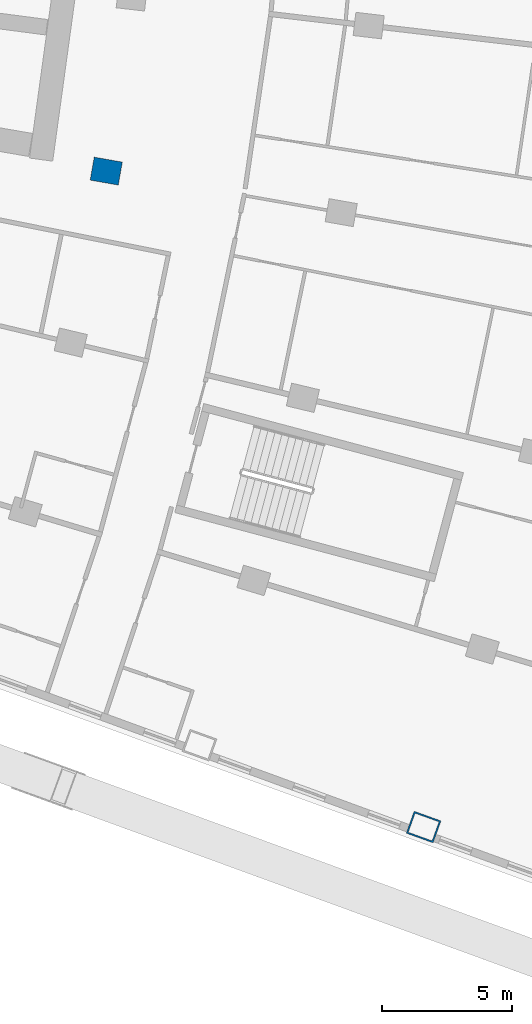
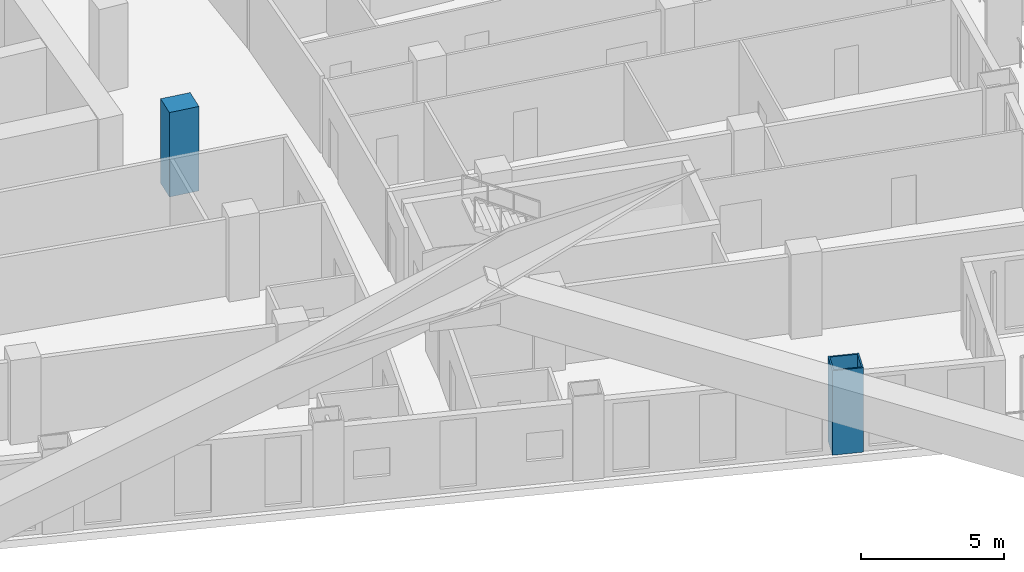
# One storey, part 4 of 25: 2 columns.
"""IFC4 building model written with IfcOpenShell, lengths in metres."""

from ifc_helpers import new_model, si_unit, direction, frame, origin, origin_2d, place, context, subcontext, project, spatial, rectangle, hollow_rectangle, extrude, material, material_profile, profile_set, type_object, element, save


model = new_model("IFC4")

# Units and contexts
model_context = context("Model", 3, precision=1e-05, world=origin(), true_north=direction((0.0, 1.0)))
body_context = subcontext(model_context, "Body", "Model", "MODEL_VIEW")
ifc_project = project(units=[si_unit("LENGTHUNIT", "METRE"), si_unit("AREAUNIT", "SQUARE_METRE"), si_unit("VOLUMEUNIT", "CUBIC_METRE"), si_unit("PLANEANGLEUNIT", "RADIAN"), si_unit("MASSUNIT", "GRAM", prefix="KILO")], contexts=[model_context])

# Site, building, storey
site_placement = place(None, origin())
site = spatial("IfcSite", under=ifc_project, at=site_placement, CompositionType="ELEMENT")
building_placement = place(site_placement, origin())
building = spatial("IfcBuilding", under=site, at=building_placement, Name="Alderwake Tower", CompositionType="ELEMENT")
storey_placement = place(building_placement, frame((0.0, 0.0, 32.0)))
storey = spatial("IfcBuildingStorey", under=building, at=storey_placement, Name="L06", CompositionType="ELEMENT", Elevation=32.0)

# Columns
ifc_material_1 = material(Name="Steel ASTM A572 Grade 50 concrete filled C70/85", Category="concrete")
ifc_material_profile_1 = material_profile(ifc_material_1, hollow_rectangle(XDim=0.89990234375, YDim=1.10009765625, WallThickness=0.06005859375, at=origin_2d()), Name="BOX 1100X900X60")
ifc_profile_set_1 = profile_set([ifc_material_profile_1], Name="Steel ASTM A572 Grade 50 concrete filled C70/85")
column_type_1 = type_object("IfcColumnType", Name="End column Z1", PredefinedType="COLUMN", material=ifc_profile_set_1)
column_1_placement = place(storey_placement, frame((46.268310546875, 15.547119140625, 0.0), z_axis=(0.0, 0.0, 1.0), x_axis=(0.338695224082, 0.940896139425, 0.0)))
element("IfcColumn", 1, at=column_1_placement, inside=storey, type_object=column_type_1, Name="Column R01-C4", PredefinedType="COLUMN", context=body_context, shape_type="SweptSolid", body=[
    extrude(hollow_rectangle(XDim=0.89990234375, YDim=1.10009765625, WallThickness=0.06005859375, at=origin_2d()), origin(), (0.0, 0.0, 1.0), 3.60009765625),
])
ifc_material_2 = material(Name="Concrete C70/85", Category="concrete")
ifc_material_profile_2 = material_profile(ifc_material_2, rectangle(XDim=0.89990234375, YDim=1.10009765625, at=origin_2d()), Name="RC 1100X900")
ifc_profile_set_2 = profile_set([ifc_material_profile_2], Name="Concrete C70/85")
column_type_2 = type_object("IfcColumnType", Name="Interior column Z1", PredefinedType="COLUMN", material=ifc_profile_set_2)
column_2_placement = place(storey_placement, frame((34.03125, 40.83837890625, 0.0), z_axis=(0.0, 0.0, 1.0), x_axis=(0.174108800747, 0.984726421654, 0.0)))
element("IfcColumn", 2, at=column_2_placement, inside=storey, type_object=column_type_2, Name="Column R04-C2", PredefinedType="COLUMN", context=body_context, shape_type="SweptSolid", body=[
    extrude(rectangle(XDim=0.89990234375, YDim=1.10009765625, at=origin_2d()), origin(), (0.0, 0.0, 1.0), 3.60009765625),
])

save(model, "model.ifc")
